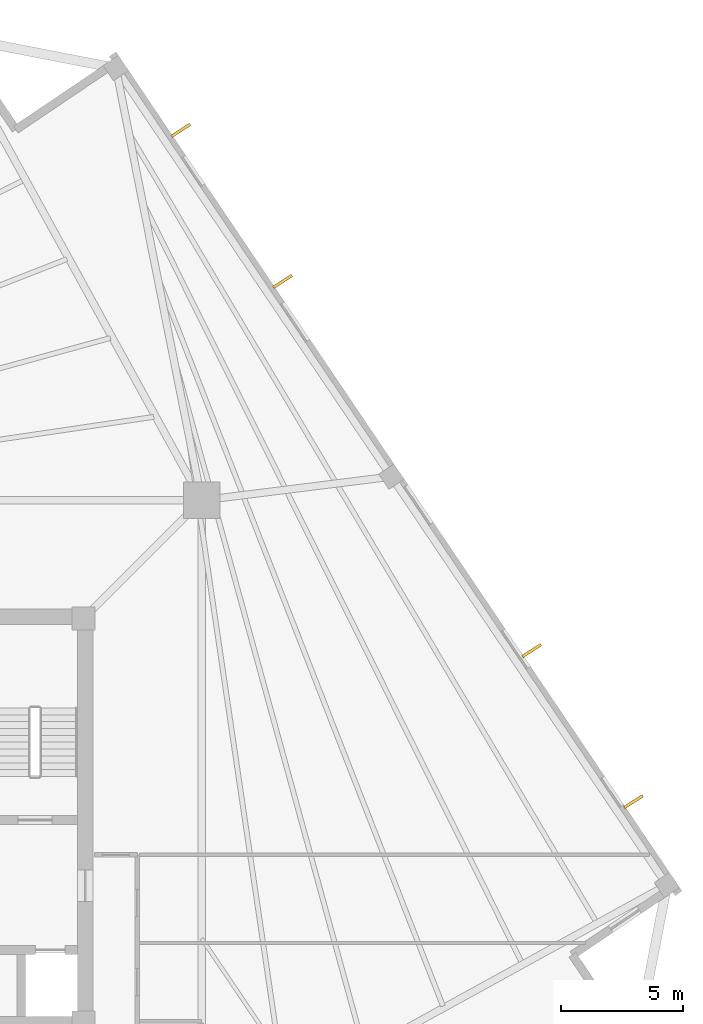
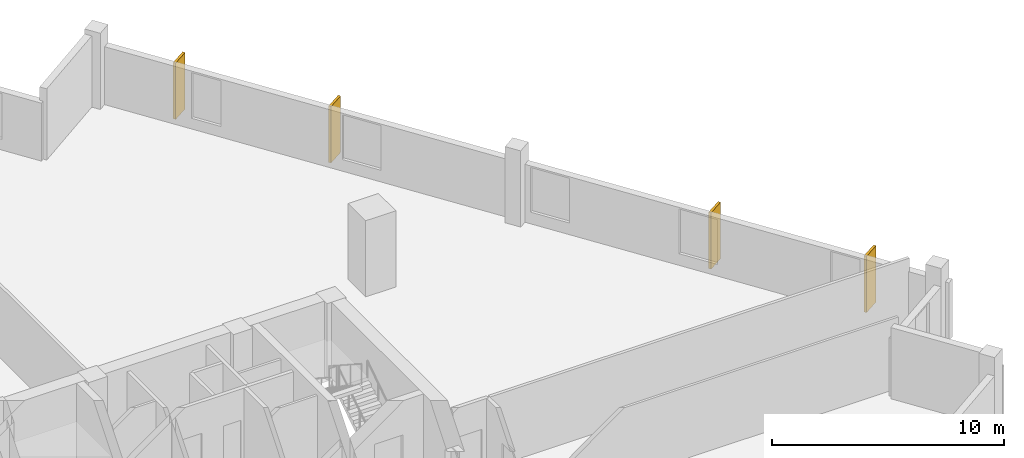
# One storey, part 9 of 9: 4 coverings.
"""IFC4 building model written with IfcOpenShell, lengths in metres."""

from ifc_helpers import new_model, si_unit, direction, frame, origin, origin_2d, place, context, subcontext, project, spatial, rectangle, extrude, source, transform, mapped, material, layer, layer_set, type_object, element, save


model = new_model("IFC4")

# Units and contexts
model_context = context("Model", 3, precision=1e-05, world=origin(), true_north=direction((0.0, 1.0)))
body_context = subcontext(model_context, "Body", "Model", "MODEL_VIEW")
ifc_project = project(units=[si_unit("LENGTHUNIT", "METRE"), si_unit("AREAUNIT", "SQUARE_METRE"), si_unit("VOLUMEUNIT", "CUBIC_METRE"), si_unit("PLANEANGLEUNIT", "RADIAN"), si_unit("MASSUNIT", "GRAM", prefix="KILO"), si_unit("THERMODYNAMICTEMPERATUREUNIT", "KELVIN")], contexts=[model_context])

# Site, building, storey
site_placement = place(None, origin())
site = spatial("IfcSite", under=ifc_project, at=site_placement, CompositionType="ELEMENT")
building_placement = place(site_placement, origin())
building = spatial("IfcBuilding", under=site, at=building_placement, Name="Kosmvard Interchange Tower", CompositionType="ELEMENT")
storey_placement = place(building_placement, frame((0.0, 0.0, 160.39990234375)))
storey = spatial("IfcBuildingStorey", under=building, at=storey_placement, Name="L38", CompositionType="ELEMENT", Elevation=160.39990234375)

# Coverings
ifc_material = material(Name="Architectural anodised aluminium", Category="aluminium")
ifc_layer = layer(ifc_material, 0.1201171875, Name="Architectural anodised aluminium")
ifc_layer_set = layer_set([ifc_layer], Name="Architectural anodised aluminium")
covering_type = type_object("IfcCoveringType", Name="Rotating Vertical Sun-Breaker Fin 900x120 Aluminium", PredefinedType="CLADDING", material=ifc_layer_set)
shared_shape = source(origin(), body_context, "Body", "SweptSolid", [
    extrude(rectangle(XDim=0.89990234375, YDim=0.1201171875, at=origin_2d()), origin(), (0.0, 0.0, 1.0), 2.9599609375),
])
for number, where, z_axis, x_axis, name in (
    (1, (30.718994140625, 0.774169921875, 0.0400390625), (0.0, 0.0, 1.0), (0.839904154905, 0.542734751581, 0.0), "L38 Rotating Vertical Sun-Breaker Fin 05"),
    (2, (26.557861328125, 6.943115234375, 0.0400390625), (0.0, 0.0, 1.0), (0.839904154905, 0.542734751581, 0.0), "L38 Rotating Vertical Sun-Breaker Fin 06"),
    (3, (16.38623046875, 22.02294921875, 0.0400390625), (0.0, 0.0, 1.0), (0.839904154905, 0.542734751581, 0.0), "L38 Rotating Vertical Sun-Breaker Fin 07"),
    (4, (12.225341796875, 28.192138671875, 0.0400390625), (0.0, 0.0, 1.0), (0.839904154905, 0.542734751581, 0.0), "L38 Rotating Vertical Sun-Breaker Fin 08"),
):
    element("IfcCovering", number, at=place(storey_placement, frame(where, z_axis=z_axis, x_axis=x_axis)), inside=storey, type_object=covering_type, Name=name, PredefinedType="CLADDING", context=body_context, shape_type="MappedRepresentation", body=[
        mapped(shared_shape, transform((0.0, 0.0, 0.0), scale=1.0)),
    ])

save(model, "model.ifc")
